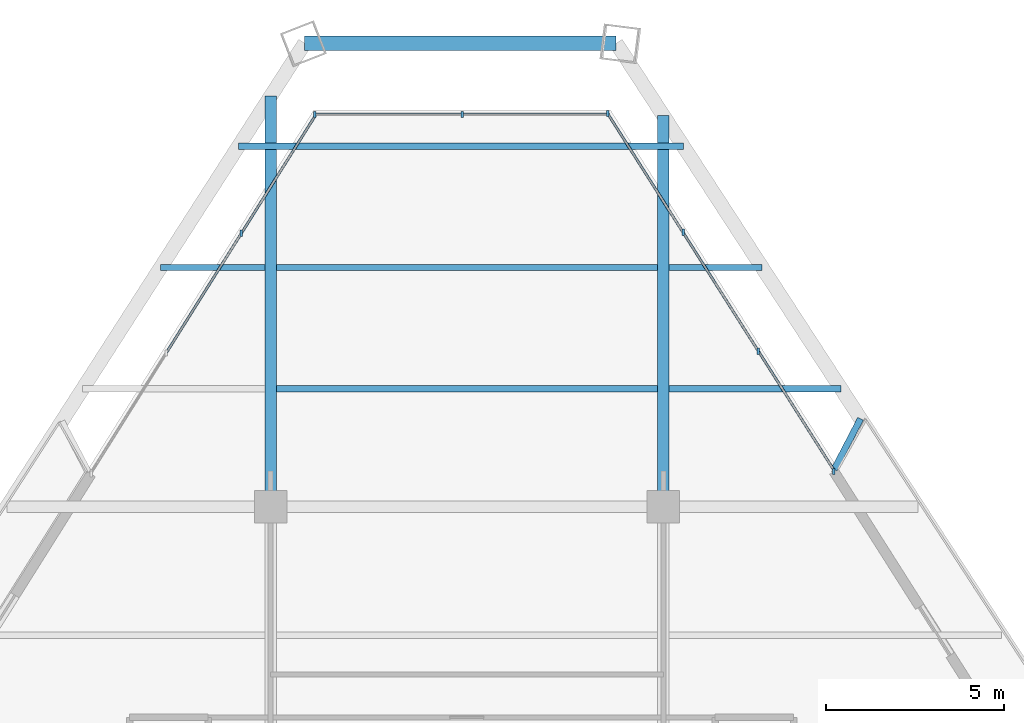
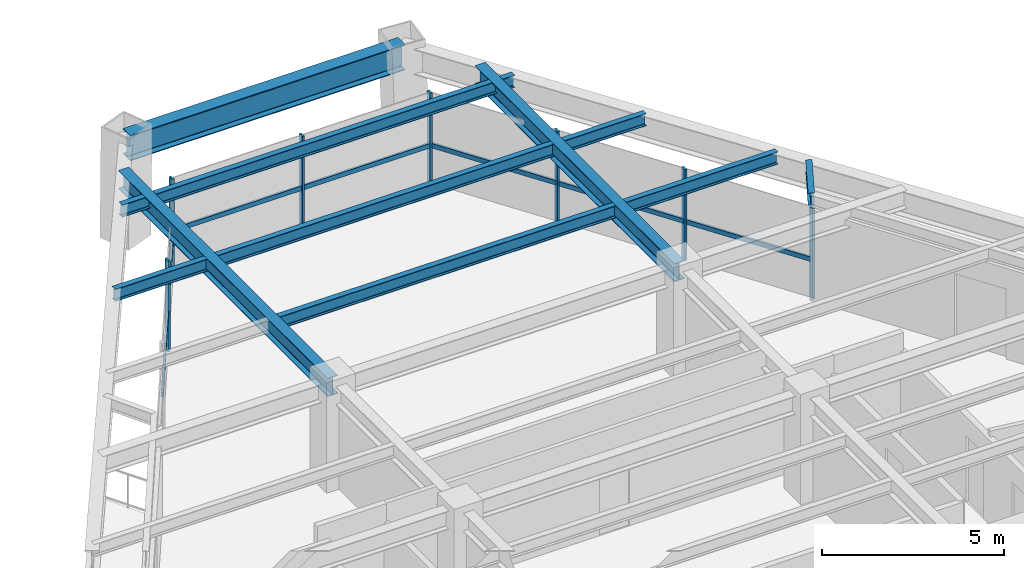
# One storey, part 9 of 15: 14 members, 10 beams, 3 elements without a shape of their own.
"""IFC4 building model written with IfcOpenShell, lengths in metres."""

from ifc_helpers import new_model, si_unit, direction, frame, origin, origin_2d, place, context, subcontext, project, spatial, rectangle, i_section, extrude, source, transform, mapped, material, material_profile, profile_set, type_object, element, aggregate, save


model = new_model("IFC4")

# Units and contexts
model_context = context("Model", 3, precision=1e-05, world=origin(), true_north=direction((0.0, 1.0)))
body_context = subcontext(model_context, "Body", "Model", "MODEL_VIEW")
ifc_project = project(units=[si_unit("LENGTHUNIT", "METRE"), si_unit("AREAUNIT", "SQUARE_METRE"), si_unit("VOLUMEUNIT", "CUBIC_METRE"), si_unit("PLANEANGLEUNIT", "RADIAN"), si_unit("MASSUNIT", "GRAM", prefix="KILO")], contexts=[model_context])

# Site, building, storey
site_placement = place(None, origin())
site = spatial("IfcSite", under=ifc_project, at=site_placement, CompositionType="ELEMENT")
building_placement = place(site_placement, origin())
building = spatial("IfcBuilding", under=site, at=building_placement, Name="Varnakhor Terracotta Tower", CompositionType="ELEMENT")
storey_placement = place(building_placement, frame((0.0, 0.0, 174.699951171875)))
storey = spatial("IfcBuildingStorey", under=building, at=storey_placement, Name="L44", CompositionType="ELEMENT", Elevation=174.699951171875)

# Beams
ifc_material_1 = material(Name="Steel S355", Category="steel")
ifc_material_profile_1 = material_profile(ifc_material_1, i_section(OverallWidth=0.179931640625, OverallDepth=0.4130859375, WebThickness=0.009765625, FlangeThickness=0.01611328125, FilletRadius=0.01806640625, at=origin_2d()), Name="W16X50")
ifc_profile_set_1 = profile_set([ifc_material_profile_1], Name="Steel S355")
beam_type_1 = type_object("IfcBeamType", Name="JST-W16X50", PredefinedType="JOIST", material=ifc_profile_set_1)
shared_shape_1 = source(origin(), body_context, "Body", "SweptSolid", [
    extrude(i_section(OverallWidth=0.179931640625, OverallDepth=0.4130859375, WebThickness=0.009765625, FlangeThickness=0.01611328125, FilletRadius=0.01806640625, at=origin_2d()), origin(), (0.0, 0.0, 1.0), 10.68310546875),
])
for number, where, z_axis, x_axis, name in (
    (1, (-5.341552734375, 34.800048828125, 3.263427734375), (1.0, 0.0, 0.0), (0.0, 1.0, 0.0), "L44 Composite Floor Joist 7-2"),
    (2, (-5.341552734375, 38.199951171875, 3.263427734375), (1.0, 0.0, 0.0), (0.0, 1.0, 0.0), "L44 Composite Floor Joist 8-2"),
):
    element("IfcBeam", number, at=place(storey_placement, frame(where, z_axis=z_axis, x_axis=x_axis)), inside=storey, type_object=beam_type_1, Name=name, PredefinedType="JOIST", context=body_context, shape_type="MappedRepresentation", body=[
        mapped(shared_shape_1, transform((0.0, 0.0, 0.0), scale=1.0)),
    ])
ifc_material_profile_2 = material_profile(ifc_material_1, i_section(OverallWidth=0.39990234375, OverallDepth=0.85498046875, WebThickness=0.01806640625, FlangeThickness=0.029052734375, FilletRadius=0.01806640625, at=origin_2d()), Name="W33X201")
ifc_profile_set_2 = profile_set([ifc_material_profile_2], Name="Steel S355")
beam_type_2 = type_object("IfcBeamType", Name="BM-W33X201", PredefinedType="BEAM", material=ifc_profile_set_2)
shared_shape_2 = source(origin(), body_context, "Body", "SweptSolid", [
    extrude(i_section(OverallWidth=0.39990234375, OverallDepth=0.85498046875, WebThickness=0.01806640625, FlangeThickness=0.029052734375, FilletRadius=0.01806640625, at=origin_2d()), origin(), (0.0, 0.0, 1.0), 8.727783203125),
])
beam_1_placement = place(storey_placement, frame((4.180908203125, 44.48681640625, 3.04248046875), z_axis=(-1.0, 0.0, 0.0), x_axis=(0.0, -1.0, 0.0)))
element("IfcBeam", 3, at=beam_1_placement, inside=storey, type_object=beam_type_2, Name="L44 Perimeter Spandrel 5", PredefinedType="BEAM", context=body_context, shape_type="MappedRepresentation", body=[
    mapped(shared_shape_2, transform((0.0, 0.0, 0.0), scale=1.0)),
])
ifc_material_profile_3 = material_profile(ifc_material_1, i_section(OverallWidth=0.324951171875, OverallDepth=0.615966796875, WebThickness=0.013916015625, FlangeThickness=0.02197265625, FilletRadius=0.01806640625, at=origin_2d()), Name="W24X117")
ifc_profile_set_3 = profile_set([ifc_material_profile_3], Name="Steel S355")
beam_type_3 = type_object("IfcBeamType", Name="BM-W24X117", PredefinedType="BEAM", material=ifc_profile_set_3)
shared_shape_3 = source(origin(), body_context, "Body", "SweptSolid", [
    extrude(i_section(OverallWidth=0.324951171875, OverallDepth=0.615966796875, WebThickness=0.013916015625, FlangeThickness=0.02197265625, FilletRadius=0.01806640625, at=origin_2d()), origin(), (0.0, 0.0, 1.0), 11.5029296875),
])
beam_2_placement = place(storey_placement, frame((-5.5, 31.5, 3.162109375), z_axis=(0.0, 1.0, 0.0), x_axis=(-1.0, 0.0, 0.0)))
element("IfcBeam", 4, at=beam_2_placement, inside=storey, type_object=beam_type_3, Name="L44 Primary Girder NS3-W", PredefinedType="BEAM", context=body_context, shape_type="MappedRepresentation", body=[
    mapped(shared_shape_3, transform((0.0, 0.0, 0.0), scale=1.0)),
])
shared_shape_4 = source(origin(), body_context, "Body", "SweptSolid", [
    extrude(i_section(OverallWidth=0.324951171875, OverallDepth=0.615966796875, WebThickness=0.013916015625, FlangeThickness=0.02197265625, FilletRadius=0.01806640625, at=origin_2d()), origin(), (0.0, 0.0, 1.0), 10.959228515625),
])
beam_3_placement = place(storey_placement, frame((5.5, 31.5, 3.162109375), z_axis=(0.0, 1.0, 0.0), x_axis=(-1.0, 0.0, 0.0)))
element("IfcBeam", 5, at=beam_3_placement, inside=storey, type_object=beam_type_3, Name="L44 Primary Girder NS3-E", PredefinedType="BEAM", context=body_context, shape_type="MappedRepresentation", body=[
    mapped(shared_shape_4, transform((0.0, 0.0, 0.0), scale=1.0)),
])
shared_shape_5 = source(origin(), body_context, "Body", "SweptSolid", [
    extrude(i_section(OverallWidth=0.179931640625, OverallDepth=0.4130859375, WebThickness=0.009765625, FlangeThickness=0.01611328125, FilletRadius=0.01806640625, at=origin_2d()), origin(), (0.0, 0.0, 1.0), 4.823974609375),
])
beam_4_placement = place(storey_placement, frame((5.658447265625, 34.800048828125, 3.263427734375), z_axis=(1.0, 0.0, 0.0), x_axis=(0.0, 1.0, 0.0)))
element("IfcBeam", 6, at=beam_4_placement, inside=storey, type_object=beam_type_1, Name="L44 Composite Floor Joist 7-3", PredefinedType="JOIST", context=body_context, shape_type="MappedRepresentation", body=[
    mapped(shared_shape_5, transform((0.0, 0.0, 0.0), scale=1.0)),
])
shared_shape_6 = source(origin(), body_context, "Body", "SweptSolid", [
    extrude(i_section(OverallWidth=0.179931640625, OverallDepth=0.4130859375, WebThickness=0.009765625, FlangeThickness=0.01611328125, FilletRadius=0.01806640625, at=origin_2d()), origin(), (0.0, 0.0, 1.0), 2.926513671875),
])
beam_5_placement = place(storey_placement, frame((-8.5849609375, 38.199951171875, 3.263427734375), z_axis=(1.0, 0.0, 0.0), x_axis=(0.0, 1.0, 0.0)))
element("IfcBeam", 7, at=beam_5_placement, inside=storey, type_object=beam_type_1, Name="L44 Composite Floor Joist 8-1", PredefinedType="JOIST", context=body_context, shape_type="MappedRepresentation", body=[
    mapped(shared_shape_6, transform((0.0, 0.0, 0.0), scale=1.0)),
])
shared_shape_7 = source(origin(), body_context, "Body", "SweptSolid", [
    extrude(i_section(OverallWidth=0.179931640625, OverallDepth=0.4130859375, WebThickness=0.009765625, FlangeThickness=0.01611328125, FilletRadius=0.01806640625, at=origin_2d()), origin(), (0.0, 0.0, 1.0), 2.6123046875),
])
beam_6_placement = place(storey_placement, frame((5.658447265625, 38.199951171875, 3.263427734375), z_axis=(1.0, 0.0, 0.0), x_axis=(0.0, 1.0, 0.0)))
element("IfcBeam", 8, at=beam_6_placement, inside=storey, type_object=beam_type_1, Name="L44 Composite Floor Joist 8-3", PredefinedType="JOIST", context=body_context, shape_type="MappedRepresentation", body=[
    mapped(shared_shape_7, transform((0.0, 0.0, 0.0), scale=1.0)),
])
shared_shape_8 = source(origin(), body_context, "Body", "SweptSolid", [
    extrude(i_section(OverallWidth=0.179931640625, OverallDepth=0.4130859375, WebThickness=0.009765625, FlangeThickness=0.01611328125, FilletRadius=0.01806640625, at=origin_2d()), origin(), (0.0, 0.0, 1.0), 12.4599609375),
])
beam_7_placement = place(storey_placement, frame((-6.401123046875, 41.60009765625, 3.263427734375), z_axis=(1.0, 0.0, 0.0), x_axis=(0.0, 1.0, 0.0)))
element("IfcBeam", 9, at=beam_7_placement, inside=storey, type_object=beam_type_1, Name="L44 Composite Floor Joist 9-1", PredefinedType="JOIST", context=body_context, shape_type="MappedRepresentation", body=[
    mapped(shared_shape_8, transform((0.0, 0.0, 0.0), scale=1.0)),
])

# Curtain wall, member
ifc_material_2 = material(Name="Anodised Aluminium Curtain Wall System", Category="aluminium")
curtain_wall_type = type_object("IfcCurtainWallType", Name="CW-SYS-MID-OFFICE", PredefinedType="NOTDEFINED", material=ifc_material_2)
curtain_wall_1_placement = place(storey_placement, origin())
curtain_wall_1 = element("IfcCurtainWall", 10, at=curtain_wall_1_placement, inside=storey, type_object=curtain_wall_type, Name="L44 W Facet Curtain Wall 2", PredefinedType="NOTDEFINED")
ifc_material_3 = material(Name="Anodised Aluminium 6063-T6", Category="aluminium")
ifc_material_profile_4 = material_profile(ifc_material_3, rectangle(XDim=0.070068359375, YDim=0.175048828125, at=origin_2d()), Name="ALU MULLION 70x175")
ifc_profile_set_4 = profile_set([ifc_material_profile_4], Name="Anodised Aluminium 6063-T6")
member_type_1 = type_object("IfcMemberType", Name="CWM-03", PredefinedType="MULLION", material=ifc_profile_set_4)
shared_shape_9 = source(origin(), body_context, "Body", "SweptSolid", [
    extrude(rectangle(XDim=0.070068359375, YDim=0.175048828125, at=origin_2d()), origin(), (0.0, 0.0, 1.0), 3.050048828125),
])
member_1_placement = place(storey_placement, frame((-6.31787109375, 39.16259765625, 0.0), z_axis=(0.0, 0.0, 1.0), x_axis=(1.0, 0.0, 0.0)))
member_1 = element("IfcMember", 11, at=member_1_placement, type_object=member_type_1, Name="L44 W Facet Curtain Wall 2 Mullion 3", PredefinedType="MULLION", context=body_context, shape_type="MappedRepresentation", body=[
    mapped(shared_shape_9, transform((0.0, 0.0, 0.0), scale=1.0)),
])

# Curtain wall, members
curtain_wall_2_placement = place(storey_placement, origin())
curtain_wall_2 = element("IfcCurtainWall", 12, at=curtain_wall_2_placement, inside=storey, type_object=curtain_wall_type, Name="L44 Facet Curtain Wall 2", PredefinedType="NOTDEFINED")
member_2_placement = place(storey_placement, frame((-4.265869140625, 42.487548828125, 0.0), z_axis=(0.0, 0.0, 1.0), x_axis=(1.0, 0.0, 0.0)))
member_2 = element("IfcMember", 13, at=member_2_placement, type_object=member_type_1, Name="L44 Facet Curtain Wall 2 Mullion 1", PredefinedType="MULLION", context=body_context, shape_type="MappedRepresentation", body=[
    mapped(shared_shape_9, transform((0.0, 0.0, 0.0), scale=1.0)),
])
member_3_placement = place(storey_placement, frame((-0.136474609375, 42.487548828125, 0.0), z_axis=(0.0, 0.0, 1.0), x_axis=(1.0, 0.0, 0.0)))
member_3 = element("IfcMember", 14, at=member_3_placement, type_object=member_type_1, Name="L44 Facet Curtain Wall 2 Mullion 2", PredefinedType="MULLION", context=body_context, shape_type="MappedRepresentation", body=[
    mapped(shared_shape_9, transform((0.0, 0.0, 0.0), scale=1.0)),
])

curtain_wall_3_placement = place(storey_placement, origin())
curtain_wall_3 = element("IfcCurtainWall", 15, at=curtain_wall_3_placement, inside=storey, type_object=curtain_wall_type, Name="L44 E Facet Curtain Wall 1", PredefinedType="NOTDEFINED")
member_4_placement = place(storey_placement, frame((3.9375, 42.51806640625, 0.0), z_axis=(0.0, 0.0, 1.0), x_axis=(1.0, 0.0, 0.0)))
member_4 = element("IfcMember", 16, at=member_4_placement, type_object=member_type_1, Name="L44 E Facet Curtain Wall 1 Mullion 1", PredefinedType="MULLION", context=body_context, shape_type="MappedRepresentation", body=[
    mapped(shared_shape_9, transform((0.0, 0.0, 0.0), scale=1.0)),
])
member_5_placement = place(storey_placement, frame((6.052001953125, 39.185302734375, 0.0), z_axis=(0.0, 0.0, 1.0), x_axis=(1.0, 0.0, 0.0)))
member_5 = element("IfcMember", 17, at=member_5_placement, type_object=member_type_1, Name="L44 E Facet Curtain Wall 1 Mullion 2", PredefinedType="MULLION", context=body_context, shape_type="MappedRepresentation", body=[
    mapped(shared_shape_9, transform((0.0, 0.0, 0.0), scale=1.0)),
])
member_6_placement = place(storey_placement, frame((8.16650390625, 35.8525390625, 0.0), z_axis=(0.0, 0.0, 1.0), x_axis=(1.0, 0.0, 0.0)))
member_6 = element("IfcMember", 18, at=member_6_placement, type_object=member_type_1, Name="L44 E Facet Curtain Wall 1 Mullion 3", PredefinedType="MULLION", context=body_context, shape_type="MappedRepresentation", body=[
    mapped(shared_shape_9, transform((0.0, 0.0, 0.0), scale=1.0)),
])
member_7_placement = place(storey_placement, frame((10.2802734375, 32.48388671875, 0.0), z_axis=(0.0, 0.0, 1.0), x_axis=(1.0, 0.0, 0.0)))
member_7 = element("IfcMember", 19, at=member_7_placement, type_object=member_type_1, Name="L44 E Loggia Jamb Closure Mullion 1", PredefinedType="MULLION", context=body_context, shape_type="MappedRepresentation", body=[
    mapped(shared_shape_9, transform((0.0, 0.0, 0.0), scale=1.0)),
])

# Member
ifc_material_profile_5 = material_profile(ifc_material_3, rectangle(XDim=0.070068359375, YDim=0.155029296875, at=origin_2d()), Name="ALU TRANSOM 70x155")
ifc_profile_set_5 = profile_set([ifc_material_profile_5], Name="Anodised Aluminium 6063-T6")
member_type_2 = type_object("IfcMemberType", Name="CWT-03", PredefinedType="USERDEFINED", material=ifc_profile_set_5)
shared_shape_10 = source(origin(), body_context, "Body", "SweptSolid", [
    extrude(rectangle(XDim=0.070068359375, YDim=0.155029296875, at=origin_2d()), origin(), (0.0, 0.0, 1.0), 3.963134765625),
])
member_8_placement = place(storey_placement, frame((-8.42578125, 35.806640625, 1.281005859375), z_axis=(0.531891431062, 0.846812556333, 0.0), x_axis=(-0.846812556333, 0.531891431062, 0.0)))
member_8 = element("IfcMember", 20, at=member_8_placement, type_object=member_type_2, Name="L44 W Facet Curtain Wall 2 Transom 2", ObjectType="TRANSOM", PredefinedType="USERDEFINED", context=body_context, shape_type="MappedRepresentation", body=[
    mapped(shared_shape_10, transform((0.0, 0.0, 0.0), scale=1.0)),
])

shared_shape_11 = source(origin(), body_context, "Body", "SweptSolid", [
    extrude(rectangle(XDim=0.070068359375, YDim=0.155029296875, at=origin_2d()), origin(), (0.0, 0.0, 1.0), 3.962646484375),
])
member_9_placement = place(storey_placement, frame((-6.31787109375, 39.16259765625, 1.281005859375), z_axis=(0.531875000986, 0.846822876005, 0.0), x_axis=(-0.846822876005, 0.531875000986, 0.0)))
member_9 = element("IfcMember", 21, at=member_9_placement, type_object=member_type_2, Name="L44 W Facet Curtain Wall 2 Transom 3", ObjectType="TRANSOM", PredefinedType="USERDEFINED", context=body_context, shape_type="MappedRepresentation", body=[
    mapped(shared_shape_11, transform((0.0, 0.0, 0.0), scale=1.0)),
])

aggregate(curtain_wall_1, [member_8, member_1, member_9])

shared_shape_12 = source(origin(), body_context, "Body", "SweptSolid", [
    extrude(rectangle(XDim=0.070068359375, YDim=0.155029296875, at=origin_2d()), origin(), (0.0, 0.0, 1.0), 4.12939453125),
])
member_10_placement = place(storey_placement, frame((-4.265869140625, 42.487548828125, 1.281005859375), z_axis=(1.0, 0.0, 0.0), x_axis=(0.0, 1.0, 0.0)))
member_10 = element("IfcMember", 22, at=member_10_placement, type_object=member_type_2, Name="L44 Facet Curtain Wall 2 Transom 1", ObjectType="TRANSOM", PredefinedType="USERDEFINED", context=body_context, shape_type="MappedRepresentation", body=[
    mapped(shared_shape_12, transform((0.0, 0.0, 0.0), scale=1.0)),
])

shared_shape_13 = source(origin(), body_context, "Body", "SweptSolid", [
    extrude(rectangle(XDim=0.070068359375, YDim=0.155029296875, at=origin_2d()), origin(), (0.0, 0.0, 1.0), 4.129150390625),
])
member_11_placement = place(storey_placement, frame((-0.136474609375, 42.487548828125, 1.281005859375), z_axis=(1.0, 0.0, 0.0), x_axis=(0.0, 1.0, 0.0)))
member_11 = element("IfcMember", 23, at=member_11_placement, type_object=member_type_2, Name="L44 Facet Curtain Wall 2 Transom 2", ObjectType="TRANSOM", PredefinedType="USERDEFINED", context=body_context, shape_type="MappedRepresentation", body=[
    mapped(shared_shape_13, transform((0.0, 0.0, 0.0), scale=1.0)),
])

aggregate(curtain_wall_2, [member_2, member_10, member_3, member_11])

shared_shape_14 = source(origin(), body_context, "Body", "SweptSolid", [
    extrude(rectangle(XDim=0.070068359375, YDim=0.155029296875, at=origin_2d()), origin(), (0.0, 0.0, 1.0), 3.947021484375),
])
member_12_placement = place(storey_placement, frame((3.9375, 42.51806640625, 1.281005859375), z_axis=(0.535730307789, -0.844389150402, 0.0), x_axis=(0.844389150402, 0.535730307789, 0.0)))
member_12 = element("IfcMember", 24, at=member_12_placement, type_object=member_type_2, Name="L44 E Facet Curtain Wall 1 Transom 1", ObjectType="TRANSOM", PredefinedType="USERDEFINED", context=body_context, shape_type="MappedRepresentation", body=[
    mapped(shared_shape_14, transform((0.0, 0.0, 0.0), scale=1.0)),
])

member_13_placement = place(storey_placement, frame((6.052001953125, 39.185302734375, 1.281005859375), z_axis=(0.535730307789, -0.844389150402, 0.0), x_axis=(0.844389150402, 0.535730307789, 0.0)))
member_13 = element("IfcMember", 25, at=member_13_placement, type_object=member_type_2, Name="L44 E Facet Curtain Wall 1 Transom 2", ObjectType="TRANSOM", PredefinedType="USERDEFINED", context=body_context, shape_type="MappedRepresentation", body=[
    mapped(shared_shape_14, transform((0.0, 0.0, 0.0), scale=1.0)),
])

shared_shape_15 = source(origin(), body_context, "Body", "SweptSolid", [
    extrude(rectangle(XDim=0.070068359375, YDim=0.155029296875, at=origin_2d()), origin(), (0.0, 0.0, 1.0), 3.94677734375),
])
member_14_placement = place(storey_placement, frame((8.16650390625, 35.8525390625, 1.281005859375), z_axis=(0.535802390984, -0.844343412253, 0.0), x_axis=(0.844343412253, 0.535802390984, 0.0)))
member_14 = element("IfcMember", 26, at=member_14_placement, type_object=member_type_2, Name="L44 E Facet Curtain Wall 1 Transom 3", ObjectType="TRANSOM", PredefinedType="USERDEFINED", context=body_context, shape_type="MappedRepresentation", body=[
    mapped(shared_shape_15, transform((0.0, 0.0, 0.0), scale=1.0)),
])

aggregate(curtain_wall_3, [member_4, member_12, member_5, member_13, member_6, member_14, member_7])

# Beam
ifc_material_profile_6 = material_profile(ifc_material_1, i_section(OverallWidth=0.179931640625, OverallDepth=0.39990234375, WebThickness=0.008544921875, FlangeThickness=0.013427734375, FilletRadius=0.01806640625, at=origin_2d()), Name="IPE400")
ifc_profile_set_6 = profile_set([ifc_material_profile_6], Name="Steel S355")
beam_type_4 = type_object("IfcBeamType", Name="JST-IPE400", PredefinedType="JOIST", material=ifc_profile_set_6)
shared_shape_16 = source(origin(), body_context, "Body", "SweptSolid", [
    extrude(i_section(OverallWidth=0.179931640625, OverallDepth=0.39990234375, WebThickness=0.008544921875, FlangeThickness=0.013427734375, FilletRadius=0.01806640625, at=origin_2d()), origin(), (0.0, 0.0, 1.0), 1.6064453125),
])
beam_8_placement = place(storey_placement, frame((10.284912109375, 32.53857421875, 3.27001953125), z_axis=(0.461682864795, 0.887045056553, 0.0), x_axis=(-0.887045056553, 0.461682864795, 0.0)))
element("IfcBeam", 27, at=beam_8_placement, inside=storey, type_object=beam_type_4, Name="L45 E Loggia Tie Beam 1", PredefinedType="JOIST", context=body_context, shape_type="MappedRepresentation", body=[
    mapped(shared_shape_16, transform((0.0, 0.0, 0.0), scale=1.0)),
])

save(model, "model.ifc")
